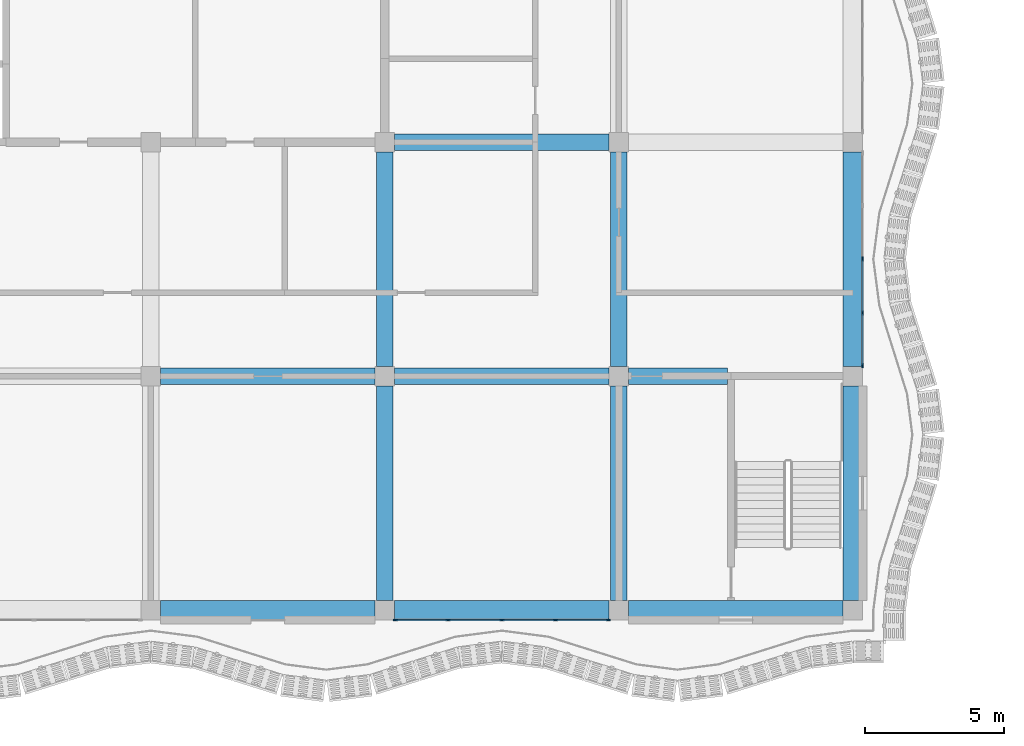
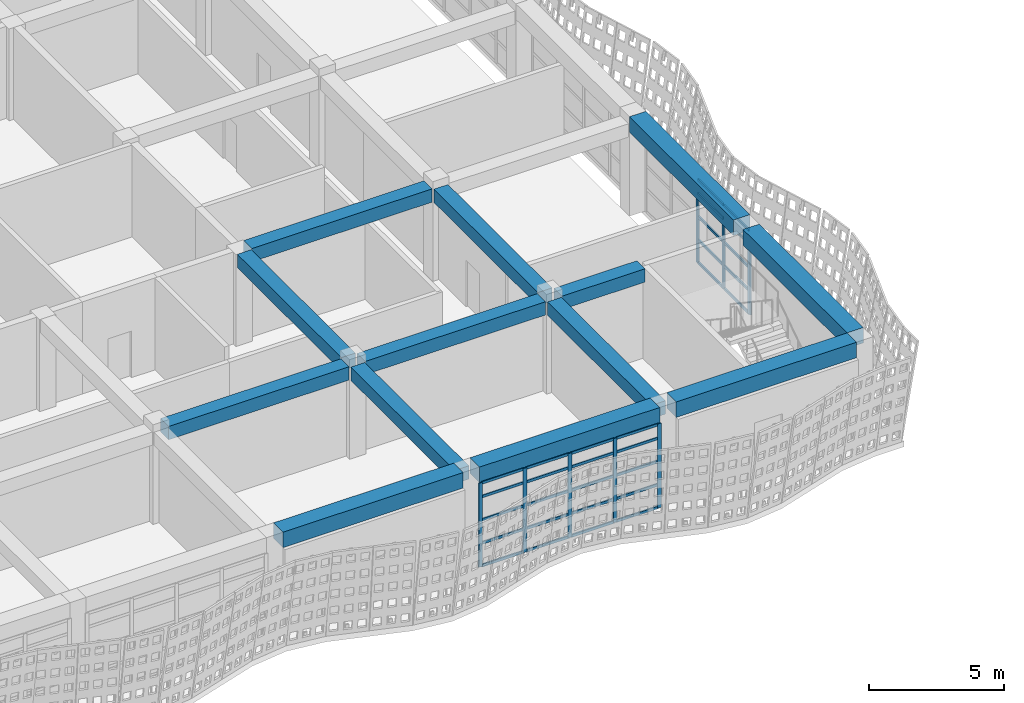
# One storey, part 6 of 163: 38 members, 13 beams, 2 elements without a shape of their own.
"""IFC4 building model written with IfcOpenShell, lengths in metres."""

import ifcopenshell
import ifcopenshell.guid

model = None  # the IFC model being written
_history = None  # IfcOwnerHistory: only IFC2X3 demands one
_inside = {}  # id of a spatial element -> (the spatial element, [elements in it])
_under = {}  # id of a project, library or spatial element -> (it, [spatial elements below it])
_declared = {}  # id of a project -> (the project, [libraries it declares])
_typed = {}  # id of a type object -> (the type object, [elements of that type])
_made_of = {}  # id of a material, layer set ... -> (it, [elements and type objects made of it])


def new_model(schema):
    """Start an empty IFC model of exactly this schema.

    Asked for "IFC4X3", IfcOpenShell would pick the latest addendum, in which some entities
    have other attributes; the version numbers below select the first issue.
    IFC2X3 requires an IfcOwnerHistory on every rooted entity: one is made here for all.
    """
    global model, _history
    if schema == "IFC4X3":
        model = ifcopenshell.file(schema_version=(4, 3, 0, 0))
    else:
        model = ifcopenshell.file(schema=schema)
    _inside.clear()
    _under.clear()
    _declared.clear()
    _typed.clear()
    _made_of.clear()
    _history = None
    if model.schema == "IFC2X3":
        org = make("IfcOrganization", Name="unknown")
        user = make(
            "IfcPersonAndOrganization",
            ThePerson=make("IfcPerson", FamilyName="unknown"),
            TheOrganization=org,
        )
        app = make(
            "IfcApplication",
            ApplicationDeveloper=org,
            Version="unknown",
            ApplicationFullName="unknown",
            ApplicationIdentifier="unknown",
        )
        _history = make(
            "IfcOwnerHistory",
            OwningUser=user,
            OwningApplication=app,
            ChangeAction="ADDED",
            CreationDate=0,
        )
    return model


def make(cls, **values):
    """One entity of the class cls with the attributes given. An attribute that is None is left unset."""
    return model.create_entity(
        cls, **{name: value for name, value in values.items() if value is not None}
    )


def rooted(cls, **values):
    """An entity with a GlobalId (a new one), such as an element, a storey or a relation."""
    return make(cls, GlobalId=ifcopenshell.guid.new(), OwnerHistory=_history, **values)


def si_unit(unit_type, name, prefix=None):
    """IfcSIUnit, for example si_unit("LENGTHUNIT", "METRE", prefix="MILLI")."""
    return make("IfcSIUnit", UnitType=unit_type, Prefix=prefix, Name=name)


def assignment(units):
    """IfcUnitAssignment: the units of a project."""
    return None if units is None else make("IfcUnitAssignment", Units=units)


def point(xyz):
    """IfcCartesianPoint."""
    return None if xyz is None else make("IfcCartesianPoint", Coordinates=xyz)


def direction(xyz):
    """IfcDirection."""
    return None if xyz is None else make("IfcDirection", DirectionRatios=xyz)


def frame(location, z_axis=None, x_axis=None):
    """IfcAxis2Placement3D, a coordinate frame: its origin and axes. An axis left out is left unset."""
    return make(
        "IfcAxis2Placement3D",
        Location=point(location),
        Axis=direction(z_axis),
        RefDirection=direction(x_axis),
    )


def frame_2d(location, x_axis=None):
    """IfcAxis2Placement2D, a coordinate frame in the plane: its origin and x axis."""
    return make(
        "IfcAxis2Placement2D", Location=point(location), RefDirection=direction(x_axis)
    )


def origin():
    """The frame at (0, 0, 0) with its axes left unset."""
    return frame((0.0, 0.0, 0.0))


def origin_2d():
    """The frame at (0, 0) in the plane with its x axis left unset."""
    return frame_2d((0.0, 0.0))


def place(relative_to, where):
    """IfcLocalPlacement: puts the frame where relative to a parent placement (None: the world)."""
    return make(
        "IfcLocalPlacement", PlacementRelTo=relative_to, RelativePlacement=where
    )


def context(
    kind, dimensions, precision=None, world=None, true_north=None, identifier=None
):
    """IfcGeometricRepresentationContext, for example the 3D "Model" context."""
    return make(
        "IfcGeometricRepresentationContext",
        ContextIdentifier=identifier,
        ContextType=kind,
        CoordinateSpaceDimension=dimensions,
        Precision=precision,
        WorldCoordinateSystem=world,
        TrueNorth=true_north,
    )


def subcontext(parent, identifier, kind, view, scale=None):
    """IfcGeometricRepresentationSubContext, for example "Body" below "Model"."""
    return make(
        "IfcGeometricRepresentationSubContext",
        ContextIdentifier=identifier,
        ContextType=kind,
        ParentContext=parent,
        TargetScale=scale,
        TargetView=view,
    )


def project(units=None, contexts=None):
    """IfcProject with its units and contexts."""
    return rooted(
        "IfcProject",
        Name="project",
        RepresentationContexts=contexts,
        UnitsInContext=assignment(units),
    )


def spatial(cls, under=None, at=None, **own):
    """A site, building, storey or space (cls), placed at a placement, below another one or the project."""
    s = rooted(cls, ObjectPlacement=at, **own)
    if under is not None:
        _under.setdefault(under.id(), (under, []))[1].append(s)
    return s


def profile(cls, at=None, kind="AREA", **sizes):
    """A parametric profile (cls). Its sizes go by their IFC names, for example OverallWidth=200.0."""
    return make(cls, ProfileType=kind, Position=at, **sizes)


def rectangle(**sizes):
    """IfcRectangleProfileDef."""
    return profile("IfcRectangleProfileDef", **sizes)


def extrude(swept, where, along, depth):
    """IfcExtrudedAreaSolid: the profile swept, set in the frame where, extruded along a direction by depth."""
    return make(
        "IfcExtrudedAreaSolid",
        SweptArea=swept,
        Position=where,
        ExtrudedDirection=direction(along),
        Depth=depth,
    )


def shape(context_of_items, identifier, shape_type, items):
    """IfcShapeRepresentation: the items that make up one representation, for example the "Body"."""
    return make(
        "IfcShapeRepresentation",
        ContextOfItems=context_of_items,
        RepresentationIdentifier=identifier,
        RepresentationType=shape_type,
        Items=items,
    )


def material(Name=None, Category=None):
    """IfcMaterial."""
    return make("IfcMaterial", Name=Name, Category=Category)


def material_profile(
    of_material, cross_section, Name=None, Category=None, Priority=None
):
    """IfcMaterialProfile: a cross section and its material."""
    return make(
        "IfcMaterialProfile",
        Name=Name,
        Material=of_material,
        Profile=cross_section,
        Priority=Priority,
        Category=Category,
    )


def profile_set(profiles, Name=None, composite=None):
    """IfcMaterialProfileSet."""
    return make(
        "IfcMaterialProfileSet",
        Name=Name,
        MaterialProfiles=profiles,
        CompositeProfile=composite,
    )


def made_of(thing, what):
    """Note that an element or type object is made of a material, layer set ...; save() writes the relation."""
    if what is not None:
        _made_of.setdefault(what.id(), (what, []))[1].append(thing)
    return thing


def type_object(cls, material=None, **own):
    """A type object (cls), such as IfcWallType, which elements share."""
    return made_of(rooted(cls, **own), material)


def element(
    cls,
    number,
    at=None,
    inside=None,
    cuts=None,
    type_object=None,
    material=None,
    context=None,
    identifier="Body",
    shape_type=None,
    held_by="IfcProductDefinitionShape",
    body=None,
    shapes=None,
    **own,
):
    """One element of the class cls, such as IfcWall. Its Tag is "e" and its number.

    at: its placement. inside: the storey or other place that contains it. cuts: it is an
    opening in that element (IfcRelVoidsElement). A single representation is given by context,
    identifier, shape_type and body (its items); several are given by shapes. held_by: the class
    of the entity that holds the representations. save() writes the other relations.
    """
    e = rooted(cls, Tag="e%d" % number, ObjectPlacement=at, **own)
    if body is not None:
        shapes = [shape(context, identifier, shape_type, body)]
    if shapes is not None:
        e.Representation = make(held_by, Representations=shapes)
    if inside is not None:
        _inside.setdefault(inside.id(), (inside, []))[1].append(e)
    if cuts is not None:
        rooted(
            "IfcRelVoidsElement", RelatingBuildingElement=cuts, RelatedOpeningElement=e
        )
    if type_object is not None:
        _typed.setdefault(type_object.id(), (type_object, []))[1].append(e)
    return made_of(e, material)


def aggregate(whole, parts):
    """IfcRelAggregates: a whole, such as a stair, and the parts it consists of."""
    return rooted("IfcRelAggregates", RelatingObject=whole, RelatedObjects=parts)


def save(model, path):
    """Write the relations noted so far, then the file.

    IfcRelAggregates (storeys below a building ...), IfcRelContainedInSpatialStructure (elements
    in a storey), IfcRelDefinesByType, IfcRelAssociatesMaterial and IfcRelDeclares: one each for
    every whole, place, type object, material and project.
    """
    for whole, parts in _under.values():
        aggregate(whole, parts)
    for where, things in _inside.values():
        rooted(
            "IfcRelContainedInSpatialStructure",
            RelatedElements=things,
            RelatingStructure=where,
        )
    for kind, things in _typed.values():
        rooted("IfcRelDefinesByType", RelatedObjects=things, RelatingType=kind)
    for what, things in _made_of.values():
        rooted("IfcRelAssociatesMaterial", RelatedObjects=things, RelatingMaterial=what)
    for by, libraries in _declared.values():
        rooted("IfcRelDeclares", RelatingContext=by, RelatedDefinitions=libraries)
    model.write(path)


model = new_model("IFC4")

# Units and contexts
model_context = context("Model", 3, precision=1e-05, world=origin(), true_north=direction((0.0, 1.0)))
body_context = subcontext(model_context, "Body", "Model", "MODEL_VIEW")
ifc_project = project(units=[si_unit("LENGTHUNIT", "METRE"), si_unit("AREAUNIT", "SQUARE_METRE"), si_unit("VOLUMEUNIT", "CUBIC_METRE"), si_unit("PLANEANGLEUNIT", "RADIAN"), si_unit("MASSUNIT", "GRAM", prefix="KILO")], contexts=[model_context])

# Site, building, storey
site_placement = place(None, origin())
site = spatial("IfcSite", under=ifc_project, at=site_placement, CompositionType="ELEMENT")
building_placement = place(site_placement, origin())
building = spatial("IfcBuilding", under=site, at=building_placement, Name="Rain Tree Exposition and Congress Centre", CompositionType="ELEMENT")
storey_placement = place(building_placement, frame((0.0, 0.0, 10.5)))
storey = spatial("IfcBuildingStorey", under=building, at=storey_placement, Name="L02", CompositionType="ELEMENT", Elevation=10.5)

# Beams
ifc_material_1 = material(Name="Precast concrete C50/60", Category="concrete")
ifc_material_profile_1 = material_profile(ifc_material_1, rectangle(XDim=0.60009765625, YDim=0.60009765625, at=origin_2d()), Name="RC 600x600")
ifc_profile_set_1 = profile_set([ifc_material_profile_1], Name="Precast concrete C50/60")
beam_type_1 = type_object("IfcBeamType", Name="Precast beam 600x600", PredefinedType="BEAM", material=ifc_profile_set_1)
for number, where, z_axis, x_axis, name in (
    (1, (25.550048828125, 8.39990234375, 3.85009765625), (1.0, 0.0, 0.0), (0.0, 1.0, 0.0), "wing/beam/L02/L03/019"),
    (2, (33.949951171875, 8.39990234375, 3.85009765625), (1.0, 0.0, 0.0), (0.0, 1.0, 0.0), "wing/beam/L02/L03/021"),
):
    element("IfcBeam", number, at=place(storey_placement, frame(where, z_axis=z_axis, x_axis=x_axis)), inside=storey, type_object=beam_type_1, Name=name, PredefinedType="BEAM", context=body_context, shape_type="SweptSolid", body=[
        extrude(rectangle(XDim=0.60009765625, YDim=0.60009765625, at=origin_2d()), origin(), (0.0, 0.0, 1.0), 7.699951171875),
    ])
beam_placement = place(storey_placement, frame((42.35009765625, 8.39990234375, 3.85009765625), z_axis=(1.0, 0.0, 0.0), x_axis=(0.0, 1.0, 0.0)))
element("IfcBeam", 3, at=beam_placement, inside=storey, type_object=beam_type_1, Name="wing/beam/L02/L03/023", PredefinedType="BEAM", context=body_context, shape_type="SweptSolid", body=[
    extrude(rectangle(XDim=0.60009765625, YDim=0.60009765625, at=origin_2d()), origin(), (0.0, 0.0, 1.0), 3.5498046875),
])
for number, where, z_axis, x_axis, name in (
    (4, (33.949951171875, 16.800048828125, 3.85009765625), (1.0, 0.0, 0.0), (0.0, 1.0, 0.0), "wing/beam/L02/L03/029"),
    (5, (33.60009765625, 0.35009765625, 3.85009765625), (0.0, 1.0, 0.0), (-1.0, 0.0, 0.0), "wing/beam/L02/L03/042"),
    (6, (33.60009765625, 8.75, 3.85009765625), (0.0, 1.0, 0.0), (-1.0, 0.0, 0.0), "wing/beam/L02/L03/044"),
    (7, (42.0, 0.35009765625, 3.85009765625), (0.0, 1.0, 0.0), (-1.0, 0.0, 0.0), "wing/beam/L02/L03/050"),
    (8, (42.0, 8.75, 3.85009765625), (0.0, 1.0, 0.0), (-1.0, 0.0, 0.0), "wing/beam/L02/L03/052"),
):
    element("IfcBeam", number, at=place(storey_placement, frame(where, z_axis=z_axis, x_axis=x_axis)), inside=storey, type_object=beam_type_1, Name=name, PredefinedType="BEAM", context=body_context, shape_type="SweptSolid", body=[
        extrude(rectangle(XDim=0.60009765625, YDim=0.60009765625, at=origin_2d()), origin(), (0.0, 0.0, 1.0), 7.699951171875),
    ])
ifc_material_2 = material(Name="Precast concrete C50/60", Category="concrete")
ifc_material_profile_2 = material_profile(ifc_material_2, rectangle(XDim=0.699951171875, YDim=0.699951171875, at=origin_2d()), Name="RC 700x700")
ifc_profile_set_2 = profile_set([ifc_material_profile_2], Name="Precast concrete C50/60")
beam_type_2 = type_object("IfcBeamType", Name="Precast spandrel beam 700x700", PredefinedType="SPANDREL", material=ifc_profile_set_2)
for number, where, z_axis, x_axis, name in (
    (9, (25.550048828125, 0.0, 4.14990234375), (1.0, 0.0, 0.0), (0.0, 1.0, 0.0), "wing/beam/L02/L03/007"),
    (10, (33.949951171875, 0.0, 4.14990234375), (1.0, 0.0, 0.0), (0.0, 1.0, 0.0), "wing/beam/L02/L03/009"),
    (11, (42.35009765625, 0.0, 4.14990234375), (1.0, 0.0, 0.0), (0.0, 1.0, 0.0), "wing/beam/L02/L03/011"),
    (12, (50.39990234375, 0.35009765625, 4.14990234375), (0.0, 1.0, 0.0), (-1.0, 0.0, 0.0), "wing/beam/L02/L03/062"),
    (13, (50.39990234375, 8.75, 4.14990234375), (0.0, 1.0, 0.0), (-1.0, 0.0, 0.0), "wing/beam/L02/L03/064"),
):
    element("IfcBeam", number, at=place(storey_placement, frame(where, z_axis=z_axis, x_axis=x_axis)), inside=storey, type_object=beam_type_2, Name=name, PredefinedType="SPANDREL", context=body_context, shape_type="SweptSolid", body=[
        extrude(rectangle(XDim=0.699951171875, YDim=0.699951171875, at=origin_2d()), origin(), (0.0, 0.0, 1.0), 7.699951171875),
    ])

# Curtain wall, members
ifc_material_3 = material(Name="Aluminium curtain wall", Category="aluminium")
curtain_wall_type = type_object("IfcCurtainWallType", Name="Wing curtain wall 1925", PredefinedType="NOTDEFINED", material=ifc_material_3)
curtain_wall_1_placement = place(storey_placement, origin())
curtain_wall_1 = element("IfcCurtainWall", 14, at=curtain_wall_1_placement, inside=storey, type_object=curtain_wall_type, Name="Curtain wall CWW303", PredefinedType="NOTDEFINED")
ifc_material_4 = material(Name="Aluminium", Category="aluminium")
ifc_material_profile_3 = material_profile(ifc_material_4, rectangle(XDim=0.06005859375, YDim=0.159912109375, at=origin_2d()), Name="Aluminium 60x160")
ifc_profile_set_3 = profile_set([ifc_material_profile_3], Name="Aluminium")
member_type_1 = type_object("IfcMemberType", Name="Wing mullion 60x160", PredefinedType="MULLION", material=ifc_profile_set_3)
member_1_placement = place(storey_placement, frame((33.97998046875, -0.35009765625, 0.0), z_axis=(0.0, 0.0, 1.0), x_axis=(0.0, 1.0, 0.0)))
member_1 = element("IfcMember", 15, at=member_1_placement, type_object=member_type_1, Name="CWW303 mullion 1", PredefinedType="MULLION", context=body_context, shape_type="SweptSolid", body=[
    extrude(rectangle(XDim=0.06005859375, YDim=0.159912109375, at=origin_2d()), origin(), (0.0, 0.0, 1.0), 3.800048828125),
])
member_2_placement = place(storey_placement, frame((35.875, -0.35009765625, 0.0), z_axis=(0.0, 0.0, 1.0), x_axis=(0.0, 1.0, 0.0)))
member_2 = element("IfcMember", 16, at=member_2_placement, type_object=member_type_1, Name="CWW303 mullion 2", PredefinedType="MULLION", context=body_context, shape_type="SweptSolid", body=[
    extrude(rectangle(XDim=0.06005859375, YDim=0.159912109375, at=origin_2d()), origin(), (0.0, 0.0, 1.0), 3.800048828125),
])
member_3_placement = place(storey_placement, frame((37.800048828125, -0.35009765625, 0.0), z_axis=(0.0, 0.0, 1.0), x_axis=(0.0, 1.0, 0.0)))
member_3 = element("IfcMember", 17, at=member_3_placement, type_object=member_type_1, Name="CWW303 mullion 3", PredefinedType="MULLION", context=body_context, shape_type="SweptSolid", body=[
    extrude(rectangle(XDim=0.06005859375, YDim=0.159912109375, at=origin_2d()), origin(), (0.0, 0.0, 1.0), 3.800048828125),
])
member_4_placement = place(storey_placement, frame((39.72509765625, -0.35009765625, 0.0), z_axis=(0.0, 0.0, 1.0), x_axis=(0.0, 1.0, 0.0)))
member_4 = element("IfcMember", 18, at=member_4_placement, type_object=member_type_1, Name="CWW303 mullion 4", PredefinedType="MULLION", context=body_context, shape_type="SweptSolid", body=[
    extrude(rectangle(XDim=0.06005859375, YDim=0.159912109375, at=origin_2d()), origin(), (0.0, 0.0, 1.0), 3.800048828125),
])
member_5_placement = place(storey_placement, frame((41.6201171875, -0.35009765625, 0.0), z_axis=(0.0, 0.0, 1.0), x_axis=(0.0, 1.0, 0.0)))
member_5 = element("IfcMember", 19, at=member_5_placement, type_object=member_type_1, Name="CWW303 mullion 5", PredefinedType="MULLION", context=body_context, shape_type="SweptSolid", body=[
    extrude(rectangle(XDim=0.06005859375, YDim=0.159912109375, at=origin_2d()), origin(), (0.0, 0.0, 1.0), 3.800048828125),
])

curtain_wall_2_placement = place(storey_placement, origin())
curtain_wall_2 = element("IfcCurtainWall", 20, at=curtain_wall_2_placement, inside=storey, type_object=curtain_wall_type, Name="Curtain wall CWW312", PredefinedType="NOTDEFINED")
member_6_placement = place(storey_placement, frame((50.75, 8.780029296875, 0.0), z_axis=(0.0, 0.0, 1.0), x_axis=(-1.0, 0.0, 0.0)))
member_6 = element("IfcMember", 21, at=member_6_placement, type_object=member_type_1, Name="CWW312 mullion 1", PredefinedType="MULLION", context=body_context, shape_type="SweptSolid", body=[
    extrude(rectangle(XDim=0.06005859375, YDim=0.159912109375, at=origin_2d()), origin(), (0.0, 0.0, 1.0), 3.800048828125),
])
member_7_placement = place(storey_placement, frame((50.75, 10.675048828125, 0.0), z_axis=(0.0, 0.0, 1.0), x_axis=(-1.0, 0.0, 0.0)))
member_7 = element("IfcMember", 22, at=member_7_placement, type_object=member_type_1, Name="CWW312 mullion 2", PredefinedType="MULLION", context=body_context, shape_type="SweptSolid", body=[
    extrude(rectangle(XDim=0.06005859375, YDim=0.159912109375, at=origin_2d()), origin(), (0.0, 0.0, 1.0), 3.800048828125),
])
member_8_placement = place(storey_placement, frame((50.75, 12.60009765625, 0.0), z_axis=(0.0, 0.0, 1.0), x_axis=(-1.0, 0.0, 0.0)))
member_8 = element("IfcMember", 23, at=member_8_placement, type_object=member_type_1, Name="CWW312 mullion 3", PredefinedType="MULLION", context=body_context, shape_type="SweptSolid", body=[
    extrude(rectangle(XDim=0.06005859375, YDim=0.159912109375, at=origin_2d()), origin(), (0.0, 0.0, 1.0), 3.800048828125),
])

# Member
ifc_material_5 = material(Name="Aluminium", Category="aluminium")
ifc_material_profile_4 = material_profile(ifc_material_5, rectangle(XDim=0.06005859375, YDim=0.1201171875, at=origin_2d()), Name="Aluminium 60x120")
ifc_profile_set_4 = profile_set([ifc_material_profile_4], Name="Aluminium")
member_type_2 = type_object("IfcMemberType", Name="Wing transom 60x120", PredefinedType="USERDEFINED", material=ifc_profile_set_4)
member_9_placement = place(storey_placement, frame((34.010009765625, -0.35009765625, 0.030029296875), z_axis=(1.0, 0.0, 0.0), x_axis=(0.0, 1.0, 0.0)))
member_9 = element("IfcMember", 24, at=member_9_placement, type_object=member_type_2, Name="CWW303 transom 1.1", ObjectType="TRANSOM", PredefinedType="USERDEFINED", context=body_context, shape_type="SweptSolid", body=[
    extrude(rectangle(XDim=0.06005859375, YDim=0.1201171875, at=origin_2d()), origin(), (0.0, 0.0, 1.0), 1.8349609375),
])

member_10_placement = place(storey_placement, frame((34.010009765625, -0.35009765625, 1.050048828125), z_axis=(1.0, 0.0, 0.0), x_axis=(0.0, 1.0, 0.0)))
member_10 = element("IfcMember", 25, at=member_10_placement, type_object=member_type_2, Name="CWW303 transom 1.2", ObjectType="TRANSOM", PredefinedType="USERDEFINED", context=body_context, shape_type="SweptSolid", body=[
    extrude(rectangle(XDim=0.06005859375, YDim=0.1201171875, at=origin_2d()), origin(), (0.0, 0.0, 1.0), 1.8349609375),
])

member_11_placement = place(storey_placement, frame((34.010009765625, -0.35009765625, 2.10009765625), z_axis=(1.0, 0.0, 0.0), x_axis=(0.0, 1.0, 0.0)))
member_11 = element("IfcMember", 26, at=member_11_placement, type_object=member_type_2, Name="CWW303 transom 1.3", ObjectType="TRANSOM", PredefinedType="USERDEFINED", context=body_context, shape_type="SweptSolid", body=[
    extrude(rectangle(XDim=0.06005859375, YDim=0.1201171875, at=origin_2d()), origin(), (0.0, 0.0, 1.0), 1.8349609375),
])

member_12_placement = place(storey_placement, frame((34.010009765625, -0.35009765625, 3.14990234375), z_axis=(1.0, 0.0, 0.0), x_axis=(0.0, 1.0, 0.0)))
member_12 = element("IfcMember", 27, at=member_12_placement, type_object=member_type_2, Name="CWW303 transom 1.4", ObjectType="TRANSOM", PredefinedType="USERDEFINED", context=body_context, shape_type="SweptSolid", body=[
    extrude(rectangle(XDim=0.06005859375, YDim=0.1201171875, at=origin_2d()), origin(), (0.0, 0.0, 1.0), 1.8349609375),
])

member_13_placement = place(storey_placement, frame((34.010009765625, -0.35009765625, 3.77001953125), z_axis=(1.0, 0.0, 0.0), x_axis=(0.0, 1.0, 0.0)))
member_13 = element("IfcMember", 28, at=member_13_placement, type_object=member_type_2, Name="CWW303 transom 1.5", ObjectType="TRANSOM", PredefinedType="USERDEFINED", context=body_context, shape_type="SweptSolid", body=[
    extrude(rectangle(XDim=0.06005859375, YDim=0.1201171875, at=origin_2d()), origin(), (0.0, 0.0, 1.0), 1.8349609375),
])

member_14_placement = place(storey_placement, frame((35.905029296875, -0.35009765625, 0.030029296875), z_axis=(1.0, 0.0, 0.0), x_axis=(0.0, 1.0, 0.0)))
member_14 = element("IfcMember", 29, at=member_14_placement, type_object=member_type_2, Name="CWW303 transom 2.1", ObjectType="TRANSOM", PredefinedType="USERDEFINED", context=body_context, shape_type="SweptSolid", body=[
    extrude(rectangle(XDim=0.06005859375, YDim=0.1201171875, at=origin_2d()), origin(), (0.0, 0.0, 1.0), 1.864990234375),
])

member_15_placement = place(storey_placement, frame((35.905029296875, -0.35009765625, 1.050048828125), z_axis=(1.0, 0.0, 0.0), x_axis=(0.0, 1.0, 0.0)))
member_15 = element("IfcMember", 30, at=member_15_placement, type_object=member_type_2, Name="CWW303 transom 2.2", ObjectType="TRANSOM", PredefinedType="USERDEFINED", context=body_context, shape_type="SweptSolid", body=[
    extrude(rectangle(XDim=0.06005859375, YDim=0.1201171875, at=origin_2d()), origin(), (0.0, 0.0, 1.0), 1.864990234375),
])

member_16_placement = place(storey_placement, frame((35.905029296875, -0.35009765625, 2.10009765625), z_axis=(1.0, 0.0, 0.0), x_axis=(0.0, 1.0, 0.0)))
member_16 = element("IfcMember", 31, at=member_16_placement, type_object=member_type_2, Name="CWW303 transom 2.3", ObjectType="TRANSOM", PredefinedType="USERDEFINED", context=body_context, shape_type="SweptSolid", body=[
    extrude(rectangle(XDim=0.06005859375, YDim=0.1201171875, at=origin_2d()), origin(), (0.0, 0.0, 1.0), 1.864990234375),
])

member_17_placement = place(storey_placement, frame((35.905029296875, -0.35009765625, 3.14990234375), z_axis=(1.0, 0.0, 0.0), x_axis=(0.0, 1.0, 0.0)))
member_17 = element("IfcMember", 32, at=member_17_placement, type_object=member_type_2, Name="CWW303 transom 2.4", ObjectType="TRANSOM", PredefinedType="USERDEFINED", context=body_context, shape_type="SweptSolid", body=[
    extrude(rectangle(XDim=0.06005859375, YDim=0.1201171875, at=origin_2d()), origin(), (0.0, 0.0, 1.0), 1.864990234375),
])

member_18_placement = place(storey_placement, frame((35.905029296875, -0.35009765625, 3.77001953125), z_axis=(1.0, 0.0, 0.0), x_axis=(0.0, 1.0, 0.0)))
member_18 = element("IfcMember", 33, at=member_18_placement, type_object=member_type_2, Name="CWW303 transom 2.5", ObjectType="TRANSOM", PredefinedType="USERDEFINED", context=body_context, shape_type="SweptSolid", body=[
    extrude(rectangle(XDim=0.06005859375, YDim=0.1201171875, at=origin_2d()), origin(), (0.0, 0.0, 1.0), 1.864990234375),
])

member_19_placement = place(storey_placement, frame((37.830078125, -0.35009765625, 0.030029296875), z_axis=(1.0, 0.0, 0.0), x_axis=(0.0, 1.0, 0.0)))
member_19 = element("IfcMember", 34, at=member_19_placement, type_object=member_type_2, Name="CWW303 transom 3.1", ObjectType="TRANSOM", PredefinedType="USERDEFINED", context=body_context, shape_type="SweptSolid", body=[
    extrude(rectangle(XDim=0.06005859375, YDim=0.1201171875, at=origin_2d()), origin(), (0.0, 0.0, 1.0), 1.864990234375),
])

member_20_placement = place(storey_placement, frame((37.830078125, -0.35009765625, 1.050048828125), z_axis=(1.0, 0.0, 0.0), x_axis=(0.0, 1.0, 0.0)))
member_20 = element("IfcMember", 35, at=member_20_placement, type_object=member_type_2, Name="CWW303 transom 3.2", ObjectType="TRANSOM", PredefinedType="USERDEFINED", context=body_context, shape_type="SweptSolid", body=[
    extrude(rectangle(XDim=0.06005859375, YDim=0.1201171875, at=origin_2d()), origin(), (0.0, 0.0, 1.0), 1.864990234375),
])

member_21_placement = place(storey_placement, frame((37.830078125, -0.35009765625, 2.10009765625), z_axis=(1.0, 0.0, 0.0), x_axis=(0.0, 1.0, 0.0)))
member_21 = element("IfcMember", 36, at=member_21_placement, type_object=member_type_2, Name="CWW303 transom 3.3", ObjectType="TRANSOM", PredefinedType="USERDEFINED", context=body_context, shape_type="SweptSolid", body=[
    extrude(rectangle(XDim=0.06005859375, YDim=0.1201171875, at=origin_2d()), origin(), (0.0, 0.0, 1.0), 1.864990234375),
])

member_22_placement = place(storey_placement, frame((37.830078125, -0.35009765625, 3.14990234375), z_axis=(1.0, 0.0, 0.0), x_axis=(0.0, 1.0, 0.0)))
member_22 = element("IfcMember", 37, at=member_22_placement, type_object=member_type_2, Name="CWW303 transom 3.4", ObjectType="TRANSOM", PredefinedType="USERDEFINED", context=body_context, shape_type="SweptSolid", body=[
    extrude(rectangle(XDim=0.06005859375, YDim=0.1201171875, at=origin_2d()), origin(), (0.0, 0.0, 1.0), 1.864990234375),
])

member_23_placement = place(storey_placement, frame((37.830078125, -0.35009765625, 3.77001953125), z_axis=(1.0, 0.0, 0.0), x_axis=(0.0, 1.0, 0.0)))
member_23 = element("IfcMember", 38, at=member_23_placement, type_object=member_type_2, Name="CWW303 transom 3.5", ObjectType="TRANSOM", PredefinedType="USERDEFINED", context=body_context, shape_type="SweptSolid", body=[
    extrude(rectangle(XDim=0.06005859375, YDim=0.1201171875, at=origin_2d()), origin(), (0.0, 0.0, 1.0), 1.864990234375),
])

member_24_placement = place(storey_placement, frame((39.7548828125, -0.35009765625, 0.030029296875), z_axis=(1.0, 0.0, 0.0), x_axis=(0.0, 1.0, 0.0)))
member_24 = element("IfcMember", 39, at=member_24_placement, type_object=member_type_2, Name="CWW303 transom 4.1", ObjectType="TRANSOM", PredefinedType="USERDEFINED", context=body_context, shape_type="SweptSolid", body=[
    extrude(rectangle(XDim=0.06005859375, YDim=0.1201171875, at=origin_2d()), origin(), (0.0, 0.0, 1.0), 1.835205078125),
])

member_25_placement = place(storey_placement, frame((39.7548828125, -0.35009765625, 1.050048828125), z_axis=(1.0, 0.0, 0.0), x_axis=(0.0, 1.0, 0.0)))
member_25 = element("IfcMember", 40, at=member_25_placement, type_object=member_type_2, Name="CWW303 transom 4.2", ObjectType="TRANSOM", PredefinedType="USERDEFINED", context=body_context, shape_type="SweptSolid", body=[
    extrude(rectangle(XDim=0.06005859375, YDim=0.1201171875, at=origin_2d()), origin(), (0.0, 0.0, 1.0), 1.835205078125),
])

member_26_placement = place(storey_placement, frame((39.7548828125, -0.35009765625, 2.10009765625), z_axis=(1.0, 0.0, 0.0), x_axis=(0.0, 1.0, 0.0)))
member_26 = element("IfcMember", 41, at=member_26_placement, type_object=member_type_2, Name="CWW303 transom 4.3", ObjectType="TRANSOM", PredefinedType="USERDEFINED", context=body_context, shape_type="SweptSolid", body=[
    extrude(rectangle(XDim=0.06005859375, YDim=0.1201171875, at=origin_2d()), origin(), (0.0, 0.0, 1.0), 1.835205078125),
])

member_27_placement = place(storey_placement, frame((39.7548828125, -0.35009765625, 3.14990234375), z_axis=(1.0, 0.0, 0.0), x_axis=(0.0, 1.0, 0.0)))
member_27 = element("IfcMember", 42, at=member_27_placement, type_object=member_type_2, Name="CWW303 transom 4.4", ObjectType="TRANSOM", PredefinedType="USERDEFINED", context=body_context, shape_type="SweptSolid", body=[
    extrude(rectangle(XDim=0.06005859375, YDim=0.1201171875, at=origin_2d()), origin(), (0.0, 0.0, 1.0), 1.835205078125),
])

member_28_placement = place(storey_placement, frame((39.7548828125, -0.35009765625, 3.77001953125), z_axis=(1.0, 0.0, 0.0), x_axis=(0.0, 1.0, 0.0)))
member_28 = element("IfcMember", 43, at=member_28_placement, type_object=member_type_2, Name="CWW303 transom 4.5", ObjectType="TRANSOM", PredefinedType="USERDEFINED", context=body_context, shape_type="SweptSolid", body=[
    extrude(rectangle(XDim=0.06005859375, YDim=0.1201171875, at=origin_2d()), origin(), (0.0, 0.0, 1.0), 1.835205078125),
])

aggregate(curtain_wall_1, [member_1, member_2, member_3, member_4, member_5, member_9, member_10, member_11, member_12, member_13, member_14, member_15, member_16, member_17, member_18, member_19, member_20, member_21, member_22, member_23, member_24, member_25, member_26, member_27, member_28])

member_29_placement = place(storey_placement, frame((50.75, 8.81005859375, 0.030029296875), z_axis=(0.0, 1.0, 0.0), x_axis=(-1.0, 0.0, 0.0)))
member_29 = element("IfcMember", 44, at=member_29_placement, type_object=member_type_2, Name="CWW312 transom 1.1", ObjectType="TRANSOM", PredefinedType="USERDEFINED", context=body_context, shape_type="SweptSolid", body=[
    extrude(rectangle(XDim=0.06005859375, YDim=0.1201171875, at=origin_2d()), origin(), (0.0, 0.0, 1.0), 1.8349609375),
])

member_30_placement = place(storey_placement, frame((50.75, 8.81005859375, 1.050048828125), z_axis=(0.0, 1.0, 0.0), x_axis=(-1.0, 0.0, 0.0)))
member_30 = element("IfcMember", 45, at=member_30_placement, type_object=member_type_2, Name="CWW312 transom 1.2", ObjectType="TRANSOM", PredefinedType="USERDEFINED", context=body_context, shape_type="SweptSolid", body=[
    extrude(rectangle(XDim=0.06005859375, YDim=0.1201171875, at=origin_2d()), origin(), (0.0, 0.0, 1.0), 1.8349609375),
])

member_31_placement = place(storey_placement, frame((50.75, 8.81005859375, 2.10009765625), z_axis=(0.0, 1.0, 0.0), x_axis=(-1.0, 0.0, 0.0)))
member_31 = element("IfcMember", 46, at=member_31_placement, type_object=member_type_2, Name="CWW312 transom 1.3", ObjectType="TRANSOM", PredefinedType="USERDEFINED", context=body_context, shape_type="SweptSolid", body=[
    extrude(rectangle(XDim=0.06005859375, YDim=0.1201171875, at=origin_2d()), origin(), (0.0, 0.0, 1.0), 1.8349609375),
])

member_32_placement = place(storey_placement, frame((50.75, 8.81005859375, 3.14990234375), z_axis=(0.0, 1.0, 0.0), x_axis=(-1.0, 0.0, 0.0)))
member_32 = element("IfcMember", 47, at=member_32_placement, type_object=member_type_2, Name="CWW312 transom 1.4", ObjectType="TRANSOM", PredefinedType="USERDEFINED", context=body_context, shape_type="SweptSolid", body=[
    extrude(rectangle(XDim=0.06005859375, YDim=0.1201171875, at=origin_2d()), origin(), (0.0, 0.0, 1.0), 1.8349609375),
])

member_33_placement = place(storey_placement, frame((50.75, 8.81005859375, 3.77001953125), z_axis=(0.0, 1.0, 0.0), x_axis=(-1.0, 0.0, 0.0)))
member_33 = element("IfcMember", 48, at=member_33_placement, type_object=member_type_2, Name="CWW312 transom 1.5", ObjectType="TRANSOM", PredefinedType="USERDEFINED", context=body_context, shape_type="SweptSolid", body=[
    extrude(rectangle(XDim=0.06005859375, YDim=0.1201171875, at=origin_2d()), origin(), (0.0, 0.0, 1.0), 1.8349609375),
])

member_34_placement = place(storey_placement, frame((50.75, 10.705078125, 0.030029296875), z_axis=(0.0, 1.0, 0.0), x_axis=(-1.0, 0.0, 0.0)))
member_34 = element("IfcMember", 49, at=member_34_placement, type_object=member_type_2, Name="CWW312 transom 2.1", ObjectType="TRANSOM", PredefinedType="USERDEFINED", context=body_context, shape_type="SweptSolid", body=[
    extrude(rectangle(XDim=0.06005859375, YDim=0.1201171875, at=origin_2d()), origin(), (0.0, 0.0, 1.0), 1.864990234375),
])

member_35_placement = place(storey_placement, frame((50.75, 10.705078125, 1.050048828125), z_axis=(0.0, 1.0, 0.0), x_axis=(-1.0, 0.0, 0.0)))
member_35 = element("IfcMember", 50, at=member_35_placement, type_object=member_type_2, Name="CWW312 transom 2.2", ObjectType="TRANSOM", PredefinedType="USERDEFINED", context=body_context, shape_type="SweptSolid", body=[
    extrude(rectangle(XDim=0.06005859375, YDim=0.1201171875, at=origin_2d()), origin(), (0.0, 0.0, 1.0), 1.864990234375),
])

member_36_placement = place(storey_placement, frame((50.75, 10.705078125, 2.10009765625), z_axis=(0.0, 1.0, 0.0), x_axis=(-1.0, 0.0, 0.0)))
member_36 = element("IfcMember", 51, at=member_36_placement, type_object=member_type_2, Name="CWW312 transom 2.3", ObjectType="TRANSOM", PredefinedType="USERDEFINED", context=body_context, shape_type="SweptSolid", body=[
    extrude(rectangle(XDim=0.06005859375, YDim=0.1201171875, at=origin_2d()), origin(), (0.0, 0.0, 1.0), 1.864990234375),
])

member_37_placement = place(storey_placement, frame((50.75, 10.705078125, 3.14990234375), z_axis=(0.0, 1.0, 0.0), x_axis=(-1.0, 0.0, 0.0)))
member_37 = element("IfcMember", 52, at=member_37_placement, type_object=member_type_2, Name="CWW312 transom 2.4", ObjectType="TRANSOM", PredefinedType="USERDEFINED", context=body_context, shape_type="SweptSolid", body=[
    extrude(rectangle(XDim=0.06005859375, YDim=0.1201171875, at=origin_2d()), origin(), (0.0, 0.0, 1.0), 1.864990234375),
])

member_38_placement = place(storey_placement, frame((50.75, 10.705078125, 3.77001953125), z_axis=(0.0, 1.0, 0.0), x_axis=(-1.0, 0.0, 0.0)))
member_38 = element("IfcMember", 53, at=member_38_placement, type_object=member_type_2, Name="CWW312 transom 2.5", ObjectType="TRANSOM", PredefinedType="USERDEFINED", context=body_context, shape_type="SweptSolid", body=[
    extrude(rectangle(XDim=0.06005859375, YDim=0.1201171875, at=origin_2d()), origin(), (0.0, 0.0, 1.0), 1.864990234375),
])

aggregate(curtain_wall_2, [member_6, member_7, member_8, member_29, member_30, member_31, member_32, member_33, member_34, member_35, member_36, member_37, member_38])

save(model, "model.ifc")
